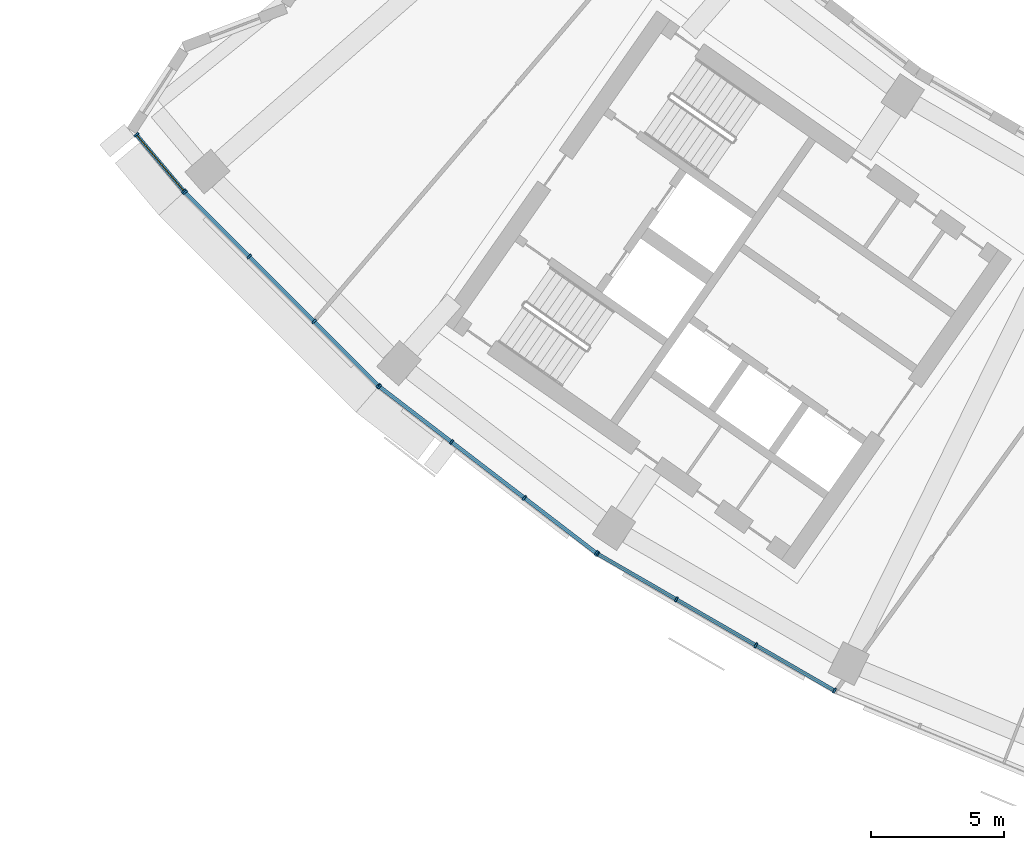
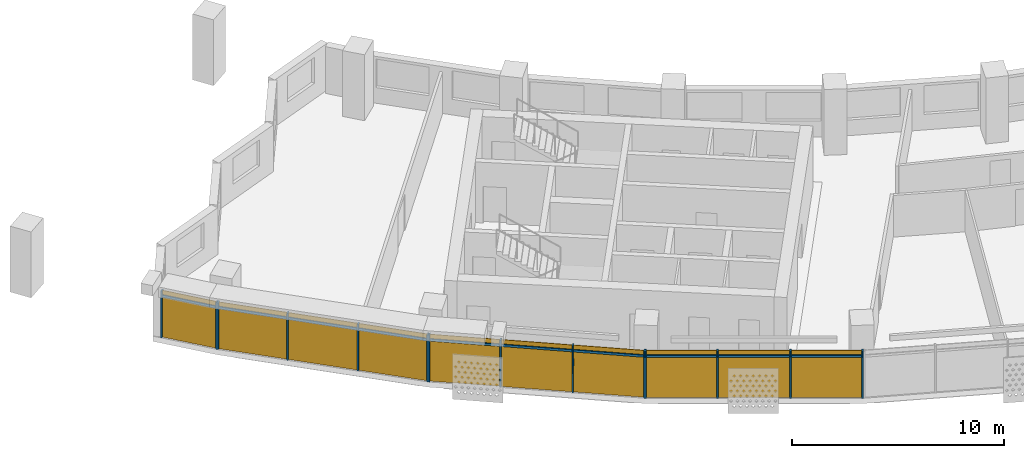
# One storey, part 19 of 26: 24 members, 4 curtain walls.
"""IFC4 building model written with IfcOpenShell, lengths in metres."""

from ifc_helpers import new_model, si_unit, direction, frame, origin, origin_2d, place, context, subcontext, project, spatial, rectangle, extrude, material, material_profile, profile_set, type_object, element, aggregate, save


model = new_model("IFC4")

# Units and contexts
model_context = context("Model", 3, precision=1e-05, world=origin(), true_north=direction((0.0, 1.0)))
body_context = subcontext(model_context, "Body", "Model", "MODEL_VIEW")
ifc_project = project(units=[si_unit("LENGTHUNIT", "METRE"), si_unit("AREAUNIT", "SQUARE_METRE"), si_unit("VOLUMEUNIT", "CUBIC_METRE"), si_unit("PLANEANGLEUNIT", "RADIAN"), si_unit("MASSUNIT", "GRAM", prefix="KILO")], contexts=[model_context])

# Member
ifc_material = material(Name="Aluminium 6063-T6 anodised", Category="aluminium")
ifc_material_profile_1 = material_profile(ifc_material, rectangle(XDim=0.199951171875, YDim=0.070068359375, at=origin_2d()))
ifc_profile_set_1 = profile_set([ifc_material_profile_1], Name="Aluminium 6063-T6 anodised")
member_type_1 = type_object("IfcMemberType", Name="Mullion 70 x 200 aluminium", PredefinedType="MULLION", material=ifc_profile_set_1)
site_placement = place(None, origin())
building_placement = place(site_placement, origin())
storey_placement = place(building_placement, frame((0.0, 0.0, 183.5)))
member_1_placement = place(storey_placement, frame((-61.12353515625, -49.87939453125, 0.0), z_axis=(0.0, 0.0, 1.0), x_axis=(0.765132091272, 0.643873343839, 0.0)))
member_1 = element("IfcMember", 1, at=member_1_placement, type_object=member_type_1, Name="e-cw1-L43-out00/M00", PredefinedType="MULLION", context=body_context, shape_type="SweptSolid", body=[
    extrude(rectangle(XDim=0.199951171875, YDim=0.070068359375, at=origin_2d()), origin(), (0.0, 0.0, 1.0), 2.699951171875),
])

member_2_placement = place(storey_placement, frame((-59.34130859375, -51.9970703125, 0.0), z_axis=(0.0, 0.0, 1.0), x_axis=(0.765132091272, 0.643873343839, 0.0)))
member_2 = element("IfcMember", 2, at=member_2_placement, type_object=member_type_1, Name="e-cw1-L43-out00/M01", PredefinedType="MULLION", context=body_context, shape_type="SweptSolid", body=[
    extrude(rectangle(XDim=0.199951171875, YDim=0.070068359375, at=origin_2d()), origin(), (0.0, 0.0, 1.0), 2.699951171875),
])

member_3_placement = place(storey_placement, frame((-59.2998046875, -52.042236328125, 0.0), z_axis=(0.0, 0.0, 1.0), x_axis=(0.707106781187, 0.707106781187, 0.0)))
member_3 = element("IfcMember", 3, at=member_3_placement, type_object=member_type_1, Name="e-cw1-L43-out01/M00", PredefinedType="MULLION", context=body_context, shape_type="SweptSolid", body=[
    extrude(rectangle(XDim=0.199951171875, YDim=0.070068359375, at=origin_2d()), origin(), (0.0, 0.0, 1.0), 2.699951171875),
])

member_4_placement = place(storey_placement, frame((-56.888916015625, -54.453369140625, 0.0), z_axis=(0.0, 0.0, 1.0), x_axis=(0.707106781187, 0.707106781187, 0.0)))
member_4 = element("IfcMember", 4, at=member_4_placement, type_object=member_type_1, Name="e-cw1-L43-out01/M01", PredefinedType="MULLION", context=body_context, shape_type="SweptSolid", body=[
    extrude(rectangle(XDim=0.199951171875, YDim=0.070068359375, at=origin_2d()), origin(), (0.0, 0.0, 1.0), 2.699951171875),
])

member_5_placement = place(storey_placement, frame((-54.453369140625, -56.888916015625, 0.0), z_axis=(0.0, 0.0, 1.0), x_axis=(0.707106781187, 0.707106781187, 0.0)))
member_5 = element("IfcMember", 5, at=member_5_placement, type_object=member_type_1, Name="e-cw1-L43-out01/M02", PredefinedType="MULLION", context=body_context, shape_type="SweptSolid", body=[
    extrude(rectangle(XDim=0.199951171875, YDim=0.070068359375, at=origin_2d()), origin(), (0.0, 0.0, 1.0), 2.699951171875),
])

member_6_placement = place(storey_placement, frame((-52.042236328125, -59.2998046875, 0.0), z_axis=(0.0, 0.0, 1.0), x_axis=(0.707106781187, 0.707106781187, 0.0)))
member_6 = element("IfcMember", 6, at=member_6_placement, type_object=member_type_1, Name="e-cw1-L43-out01/M03", PredefinedType="MULLION", context=body_context, shape_type="SweptSolid", body=[
    extrude(rectangle(XDim=0.199951171875, YDim=0.070068359375, at=origin_2d()), origin(), (0.0, 0.0, 1.0), 2.699951171875),
])

member_7_placement = place(storey_placement, frame((-51.999755859375, -59.33740234375, 0.0), z_axis=(0.0, 0.0, 1.0), x_axis=(0.608761429009, 0.793353340291, 0.0)))
member_7 = element("IfcMember", 7, at=member_7_placement, type_object=member_type_1, Name="e-cw1-L43-out02/M00", PredefinedType="MULLION", context=body_context, shape_type="SweptSolid", body=[
    extrude(rectangle(XDim=0.199951171875, YDim=0.070068359375, at=origin_2d()), origin(), (0.0, 0.0, 1.0), 2.699951171875),
])

member_8_placement = place(storey_placement, frame((-49.294677734375, -61.412841796875, 0.0), z_axis=(0.0, 0.0, 1.0), x_axis=(0.608761429009, 0.793353340291, 0.0)))
member_8 = element("IfcMember", 8, at=member_8_placement, type_object=member_type_1, Name="e-cw1-L43-out02/M01", PredefinedType="MULLION", context=body_context, shape_type="SweptSolid", body=[
    extrude(rectangle(XDim=0.199951171875, YDim=0.070068359375, at=origin_2d()), origin(), (0.0, 0.0, 1.0), 2.699951171875),
])

member_9_placement = place(storey_placement, frame((-46.56201171875, -63.509765625, 0.0), z_axis=(0.0, 0.0, 1.0), x_axis=(0.608761429009, 0.793353340291, 0.0)))
member_9 = element("IfcMember", 9, at=member_9_placement, type_object=member_type_1, Name="e-cw1-L43-out02/M02", PredefinedType="MULLION", context=body_context, shape_type="SweptSolid", body=[
    extrude(rectangle(XDim=0.199951171875, YDim=0.070068359375, at=origin_2d()), origin(), (0.0, 0.0, 1.0), 2.699951171875),
])

member_10_placement = place(storey_placement, frame((-43.85693359375, -65.58544921875, 0.0), z_axis=(0.0, 0.0, 1.0), x_axis=(0.608761429009, 0.793353340291, 0.0)))
member_10 = element("IfcMember", 10, at=member_10_placement, type_object=member_type_1, Name="e-cw1-L43-out02/M03", PredefinedType="MULLION", context=body_context, shape_type="SweptSolid", body=[
    extrude(rectangle(XDim=0.199951171875, YDim=0.070068359375, at=origin_2d()), origin(), (0.0, 0.0, 1.0), 2.699951171875),
])

member_11_placement = place(storey_placement, frame((-43.809814453125, -65.616943359375, 0.0), z_axis=(0.0, 0.0, 1.0), x_axis=(0.5, 0.866025403784, 0.0)))
member_11 = element("IfcMember", 11, at=member_11_placement, type_object=member_type_1, Name="e-cw1-L43-out03/M00", PredefinedType="MULLION", context=body_context, shape_type="SweptSolid", body=[
    extrude(rectangle(XDim=0.199951171875, YDim=0.070068359375, at=origin_2d()), origin(), (0.0, 0.0, 1.0), 2.699951171875),
])

member_12_placement = place(storey_placement, frame((-40.85693359375, -67.32177734375, 0.0), z_axis=(0.0, 0.0, 1.0), x_axis=(0.5, 0.866025403784, 0.0)))
member_12 = element("IfcMember", 12, at=member_12_placement, type_object=member_type_1, Name="e-cw1-L43-out03/M01", PredefinedType="MULLION", context=body_context, shape_type="SweptSolid", body=[
    extrude(rectangle(XDim=0.199951171875, YDim=0.070068359375, at=origin_2d()), origin(), (0.0, 0.0, 1.0), 2.699951171875),
])

member_13_placement = place(storey_placement, frame((-37.873779296875, -69.0439453125, 0.0), z_axis=(0.0, 0.0, 1.0), x_axis=(0.5, 0.866025403784, 0.0)))
member_13 = element("IfcMember", 13, at=member_13_placement, type_object=member_type_1, Name="e-cw1-L43-out03/M02", PredefinedType="MULLION", context=body_context, shape_type="SweptSolid", body=[
    extrude(rectangle(XDim=0.199951171875, YDim=0.070068359375, at=origin_2d()), origin(), (0.0, 0.0, 1.0), 2.699951171875),
])

member_14_placement = place(storey_placement, frame((-34.921142578125, -70.748779296875, 0.0), z_axis=(0.0, 0.0, 1.0), x_axis=(0.5, 0.866025403784, 0.0)))
member_14 = element("IfcMember", 14, at=member_14_placement, type_object=member_type_1, Name="e-cw1-L43-out03/M03", PredefinedType="MULLION", context=body_context, shape_type="SweptSolid", body=[
    extrude(rectangle(XDim=0.199951171875, YDim=0.070068359375, at=origin_2d()), origin(), (0.0, 0.0, 1.0), 2.699951171875),
])

ifc_material_profile_2 = material_profile(ifc_material, rectangle(XDim=0.139892578125, YDim=0.1201171875, at=origin_2d()))
ifc_profile_set_2 = profile_set([ifc_material_profile_2], Name="Aluminium 6063-T6 anodised")
member_type_2 = type_object("IfcMemberType", Name="Transom 120 x 140 aluminium", PredefinedType="USERDEFINED", material=ifc_profile_set_2)
member_15_placement = place(storey_placement, frame((-61.100830078125, -49.90625, 2.39990234375), z_axis=(0.643817986331, -0.765178672256, 0.0), x_axis=(0.765178672256, 0.643817986331, 0.0)))
member_15 = element("IfcMember", 15, at=member_15_placement, type_object=member_type_2, Name="e-cw1-L43-out00/T00", ObjectType="TRANSOM", PredefinedType="USERDEFINED", context=body_context, shape_type="SweptSolid", body=[
    extrude(rectangle(XDim=0.139892578125, YDim=0.1201171875, at=origin_2d()), origin(), (0.0, 0.0, 1.0), 2.69775390625),
])

member_16_placement = place(storey_placement, frame((-59.275146484375, -52.067138671875, 2.39990234375), z_axis=(0.707106781187, -0.707106781187, 0.0), x_axis=(0.707106781187, 0.707106781187, 0.0)))
member_16 = element("IfcMember", 16, at=member_16_placement, type_object=member_type_2, Name="e-cw1-L43-out01/T00", ObjectType="TRANSOM", PredefinedType="USERDEFINED", context=body_context, shape_type="SweptSolid", body=[
    extrude(rectangle(XDim=0.139892578125, YDim=0.1201171875, at=origin_2d()), origin(), (0.0, 0.0, 1.0), 3.33935546875),
])

member_17_placement = place(storey_placement, frame((-56.8642578125, -54.47802734375, 2.39990234375), z_axis=(0.707106781187, -0.707106781187, 0.0), x_axis=(0.707106781187, 0.707106781187, 0.0)))
member_17 = element("IfcMember", 17, at=member_17_placement, type_object=member_type_2, Name="e-cw1-L43-out01/T01", ObjectType="TRANSOM", PredefinedType="USERDEFINED", context=body_context, shape_type="SweptSolid", body=[
    extrude(rectangle(XDim=0.139892578125, YDim=0.1201171875, at=origin_2d()), origin(), (0.0, 0.0, 1.0), 3.374755859375),
])

member_18_placement = place(storey_placement, frame((-54.428466796875, -56.913818359375, 2.39990234375), z_axis=(0.707106781187, -0.707106781187, 0.0), x_axis=(0.707106781187, 0.707106781187, 0.0)))
member_18 = element("IfcMember", 18, at=member_18_placement, type_object=member_type_2, Name="e-cw1-L43-out01/T02", ObjectType="TRANSOM", PredefinedType="USERDEFINED", context=body_context, shape_type="SweptSolid", body=[
    extrude(rectangle(XDim=0.139892578125, YDim=0.1201171875, at=origin_2d()), origin(), (0.0, 0.0, 1.0), 3.33935546875),
])

member_19_placement = place(storey_placement, frame((-51.971923828125, -59.358642578125, 2.39990234375), z_axis=(0.793354486861, -0.608759934767, 0.0), x_axis=(0.608759934767, 0.793354486861, 0.0)))
member_19 = element("IfcMember", 19, at=member_19_placement, type_object=member_type_2, Name="e-cw1-L43-out02/T00", ObjectType="TRANSOM", PredefinedType="USERDEFINED", context=body_context, shape_type="SweptSolid", body=[
    extrude(rectangle(XDim=0.139892578125, YDim=0.1201171875, at=origin_2d()), origin(), (0.0, 0.0, 1.0), 3.339599609375),
])

member_20_placement = place(storey_placement, frame((-49.266845703125, -61.434326171875, 2.39990234375), z_axis=(0.793371081522, -0.608738307489, 0.0), x_axis=(0.608738307489, 0.793371081522, 0.0)))
member_20 = element("IfcMember", 20, at=member_20_placement, type_object=member_type_2, Name="e-cw1-L43-out02/T01", ObjectType="TRANSOM", PredefinedType="USERDEFINED", context=body_context, shape_type="SweptSolid", body=[
    extrude(rectangle(XDim=0.139892578125, YDim=0.1201171875, at=origin_2d()), origin(), (0.0, 0.0, 1.0), 3.37451171875),
])

member_21_placement = place(storey_placement, frame((-46.5341796875, -63.53125, 2.39990234375), z_axis=(0.793354486861, -0.608759934767, 0.0), x_axis=(0.608759934767, 0.793354486861, 0.0)))
member_21 = element("IfcMember", 21, at=member_21_placement, type_object=member_type_2, Name="e-cw1-L43-out02/T02", ObjectType="TRANSOM", PredefinedType="USERDEFINED", context=body_context, shape_type="SweptSolid", body=[
    extrude(rectangle(XDim=0.139892578125, YDim=0.1201171875, at=origin_2d()), origin(), (0.0, 0.0, 1.0), 3.339599609375),
])

member_22_placement = place(storey_placement, frame((-43.779541015625, -65.634521484375, 2.39990234375), z_axis=(0.866052898888, -0.49995237406, 0.0), x_axis=(0.49995237406, 0.866052898888, 0.0)))
member_22 = element("IfcMember", 22, at=member_22_placement, type_object=member_type_2, Name="e-cw1-L43-out03/T00", ObjectType="TRANSOM", PredefinedType="USERDEFINED", context=body_context, shape_type="SweptSolid", body=[
    extrude(rectangle(XDim=0.139892578125, YDim=0.1201171875, at=origin_2d()), origin(), (0.0, 0.0, 1.0), 3.339599609375),
])

member_23_placement = place(storey_placement, frame((-40.82666015625, -67.33935546875, 2.39990234375), z_axis=(0.86602172966, -0.500006363716, 0.0), x_axis=(0.500006363716, 0.86602172966, 0.0)))
member_23 = element("IfcMember", 23, at=member_23_placement, type_object=member_type_2, Name="e-cw1-L43-out03/T01", ObjectType="TRANSOM", PredefinedType="USERDEFINED", context=body_context, shape_type="SweptSolid", body=[
    extrude(rectangle(XDim=0.139892578125, YDim=0.1201171875, at=origin_2d()), origin(), (0.0, 0.0, 1.0), 3.37451171875),
])

member_24_placement = place(storey_placement, frame((-37.843505859375, -69.0615234375, 2.39990234375), z_axis=(0.866002968352, -0.500038857296, 0.0), x_axis=(0.500038857296, 0.866002968352, 0.0)))
member_24 = element("IfcMember", 24, at=member_24_placement, type_object=member_type_2, Name="e-cw1-L43-out03/T02", ObjectType="TRANSOM", PredefinedType="USERDEFINED", context=body_context, shape_type="SweptSolid", body=[
    extrude(rectangle(XDim=0.139892578125, YDim=0.1201171875, at=origin_2d()), origin(), (0.0, 0.0, 1.0), 3.339599609375),
])

# Site, building, storey
site = spatial("IfcSite", under=ifc_project, at=site_placement, CompositionType="ELEMENT")
building = spatial("IfcBuilding", under=site, at=building_placement, Name="Qamariyya Broadcast Tower", CompositionType="ELEMENT")
storey = spatial("IfcBuildingStorey", under=building, at=storey_placement, Name="L43", CompositionType="ELEMENT", Elevation=183.5)

# Curtain wall
curtain_wall_type = type_object("IfcCurtainWallType", Name="Unitised curtain wall, anodised aluminium", PredefinedType="NOTDEFINED", material=ifc_material)
curtain_wall_1_placement = place(storey_placement, origin())
curtain_wall_1 = element("IfcCurtainWall", 25, at=curtain_wall_1_placement, inside=storey, type_object=curtain_wall_type, Name="e-cw1-L43-out00", PredefinedType="NOTDEFINED", context=body_context, shape_type="SweptSolid", body=[
    extrude(rectangle(XDim=2.69775390625, YDim=0.031982421875, at=origin_2d()), frame((-60.232421875, -50.9384765625, 0.0), x_axis=(0.643891968204, -0.765116418124, 0.0)), (0.0, 0.0, 1.0), 2.340087890625),
    extrude(rectangle(XDim=2.69775390625, YDim=0.031982421875, at=origin_2d()), frame((-60.232421875, -50.9384765625, 2.4599609375), x_axis=(0.643891968204, -0.765116418124, 0.0)), (0.0, 0.0, 1.0), 0.239990234375),
])

aggregate(curtain_wall_1, [member_1, member_2, member_15])

curtain_wall_2_placement = place(storey_placement, origin())
curtain_wall_2 = element("IfcCurtainWall", 26, at=curtain_wall_2_placement, inside=storey, type_object=curtain_wall_type, Name="e-cw1-L43-out01", PredefinedType="NOTDEFINED", context=body_context, shape_type="SweptSolid", body=[
    extrude(rectangle(XDim=3.339599609375, YDim=0.031982421875, at=origin_2d()), frame((-58.094482421875, -53.247802734375, 0.0), x_axis=(0.707106781187, -0.707106781187, 0.0)), (0.0, 0.0, 1.0), 2.340087890625),
    extrude(rectangle(XDim=3.339599609375, YDim=0.031982421875, at=origin_2d()), frame((-58.094482421875, -53.247802734375, 2.4599609375), x_axis=(0.707106781187, -0.707106781187, 0.0)), (0.0, 0.0, 1.0), 0.239990234375),
    extrude(rectangle(XDim=3.37451171875, YDim=0.031982421875, at=origin_2d()), frame((-55.671142578125, -55.671142578125, 0.0), x_axis=(0.707106781187, -0.707106781187, 0.0)), (0.0, 0.0, 1.0), 2.340087890625),
    extrude(rectangle(XDim=3.37451171875, YDim=0.031982421875, at=origin_2d()), frame((-55.671142578125, -55.671142578125, 2.4599609375), x_axis=(0.707106781187, -0.707106781187, 0.0)), (0.0, 0.0, 1.0), 0.239990234375),
    extrude(rectangle(XDim=3.339599609375, YDim=0.031982421875, at=origin_2d()), frame((-53.247802734375, -58.094482421875, 0.0), x_axis=(0.707106781187, -0.707106781187, 0.0)), (0.0, 0.0, 1.0), 2.340087890625),
    extrude(rectangle(XDim=3.339599609375, YDim=0.031982421875, at=origin_2d()), frame((-53.247802734375, -58.094482421875, 2.4599609375), x_axis=(0.707106781187, -0.707106781187, 0.0)), (0.0, 0.0, 1.0), 0.239990234375),
])

aggregate(curtain_wall_2, [member_3, member_4, member_5, member_6, member_16, member_17, member_18])

curtain_wall_3_placement = place(storey_placement, origin())
curtain_wall_3 = element("IfcCurtainWall", 27, at=curtain_wall_3_placement, inside=storey, type_object=curtain_wall_type, Name="e-cw1-L43-out02", PredefinedType="NOTDEFINED", context=body_context, shape_type="SweptSolid", body=[
    extrude(rectangle(XDim=3.339599609375, YDim=0.031982421875, at=origin_2d()), frame((-50.64697265625, -60.375, 0.0), x_axis=(0.793351517557, -0.608763804434, 0.0)), (0.0, 0.0, 1.0), 2.340087890625),
    extrude(rectangle(XDim=3.339599609375, YDim=0.031982421875, at=origin_2d()), frame((-50.64697265625, -60.375, 2.4599609375), x_axis=(0.793351517557, -0.608763804434, 0.0)), (0.0, 0.0, 1.0), 0.239990234375),
    extrude(rectangle(XDim=3.37451171875, YDim=0.031982421875, at=origin_2d()), frame((-47.92822265625, -62.46142578125, 0.0), x_axis=(0.793351517557, -0.608763804434, 0.0)), (0.0, 0.0, 1.0), 2.340087890625),
    extrude(rectangle(XDim=3.37451171875, YDim=0.031982421875, at=origin_2d()), frame((-47.92822265625, -62.46142578125, 2.4599609375), x_axis=(0.793351517557, -0.608763804434, 0.0)), (0.0, 0.0, 1.0), 0.239990234375),
    extrude(rectangle(XDim=3.339599609375, YDim=0.031982421875, at=origin_2d()), frame((-45.20947265625, -64.547607421875, 0.0), x_axis=(0.793351517557, -0.608763804434, 0.0)), (0.0, 0.0, 1.0), 2.340087890625),
    extrude(rectangle(XDim=3.339599609375, YDim=0.031982421875, at=origin_2d()), frame((-45.20947265625, -64.547607421875, 2.4599609375), x_axis=(0.793351517557, -0.608763804434, 0.0)), (0.0, 0.0, 1.0), 0.239990234375),
])

aggregate(curtain_wall_3, [member_7, member_8, member_9, member_10, member_19, member_20, member_21])

curtain_wall_4_placement = place(storey_placement, origin())
curtain_wall_4 = element("IfcCurtainWall", 28, at=curtain_wall_4_placement, inside=storey, type_object=curtain_wall_type, Name="e-cw1-L43-out03", PredefinedType="NOTDEFINED", context=body_context, shape_type="SweptSolid", body=[
    extrude(rectangle(XDim=3.339599609375, YDim=0.031982421875, at=origin_2d()), frame((-42.33349609375, -66.469482421875, 0.0), x_axis=(0.866028999376, -0.499993772201, 0.0)), (0.0, 0.0, 1.0), 2.340087890625),
    extrude(rectangle(XDim=3.339599609375, YDim=0.031982421875, at=origin_2d()), frame((-42.33349609375, -66.469482421875, 2.4599609375), x_axis=(0.866028999376, -0.499993772201, 0.0)), (0.0, 0.0, 1.0), 0.239990234375),
    extrude(rectangle(XDim=3.37451171875, YDim=0.031982421875, at=origin_2d()), frame((-39.365478515625, -68.18310546875, 0.0), x_axis=(0.866028999376, -0.499993772201, 0.0)), (0.0, 0.0, 1.0), 2.340087890625),
    extrude(rectangle(XDim=3.37451171875, YDim=0.031982421875, at=origin_2d()), frame((-39.365478515625, -68.18310546875, 2.4599609375), x_axis=(0.866028999376, -0.499993772201, 0.0)), (0.0, 0.0, 1.0), 0.239990234375),
    extrude(rectangle(XDim=3.339599609375, YDim=0.031982421875, at=origin_2d()), frame((-36.3974609375, -69.896484375, 0.0), x_axis=(0.866028999376, -0.499993772201, 0.0)), (0.0, 0.0, 1.0), 2.340087890625),
    extrude(rectangle(XDim=3.339599609375, YDim=0.031982421875, at=origin_2d()), frame((-36.3974609375, -69.896484375, 2.4599609375), x_axis=(0.866028999376, -0.499993772201, 0.0)), (0.0, 0.0, 1.0), 0.239990234375),
])

aggregate(curtain_wall_4, [member_11, member_12, member_13, member_14, member_22, member_23, member_24])

save(model, "model.ifc")
